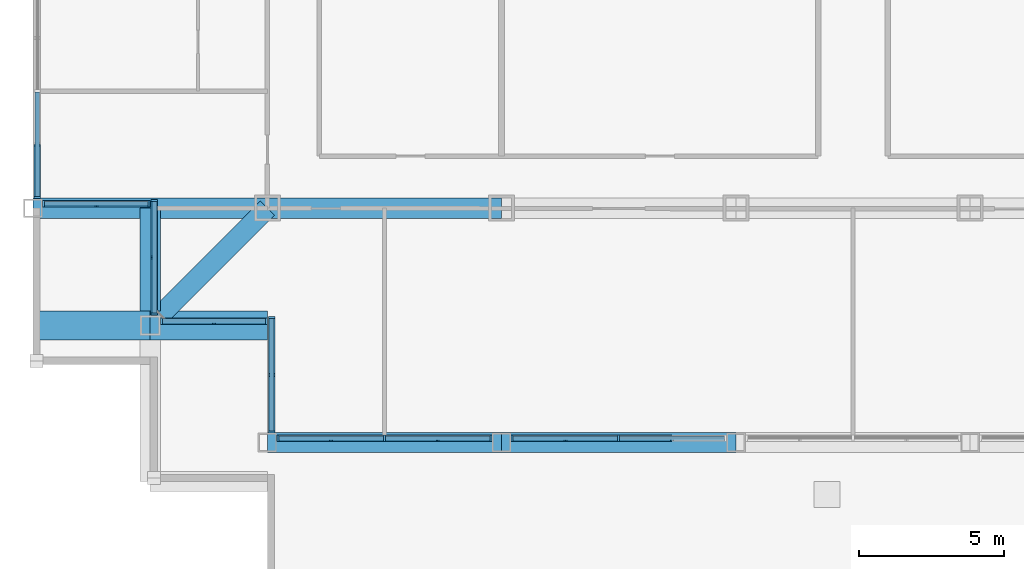
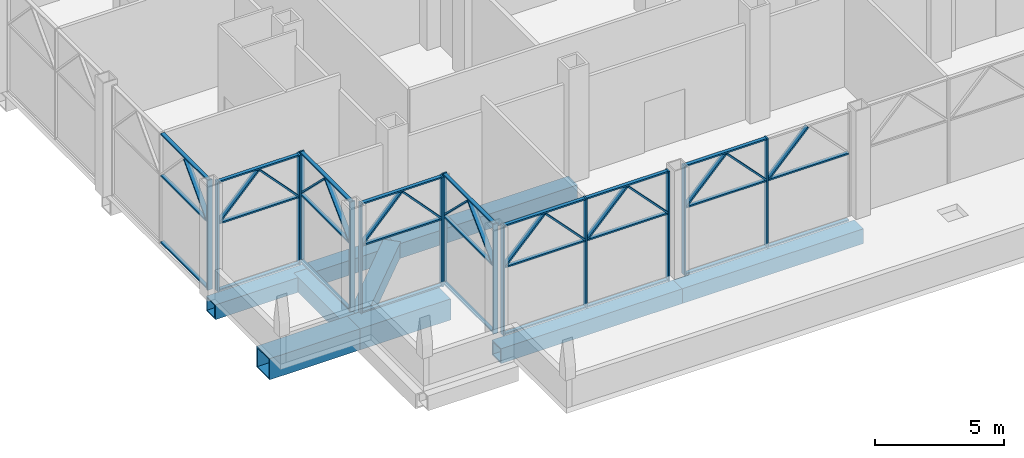
# One storey, part 2 of 26: 56 members, 8 beams, 7 elements without a shape of their own.
"""IFC4 building model written with IfcOpenShell, lengths in metres."""

from ifc_helpers import new_model, si_unit, direction, frame, origin, origin_2d, place, context, subcontext, project, spatial, rectangle, hollow_rectangle, extrude, material, material_profile, profile_set, type_object, element, aggregate, save


model = new_model("IFC4")

# Units and contexts
model_context = context("Model", 3, precision=1e-05, world=origin(), true_north=direction((0.0, 1.0)))
body_context = subcontext(model_context, "Body", "Model", "MODEL_VIEW")
ifc_project = project(units=[si_unit("LENGTHUNIT", "METRE"), si_unit("AREAUNIT", "SQUARE_METRE"), si_unit("VOLUMEUNIT", "CUBIC_METRE"), si_unit("PLANEANGLEUNIT", "RADIAN"), si_unit("MASSUNIT", "GRAM", prefix="KILO")], contexts=[model_context])

# Site, building, storey
site_placement = place(None, origin())
site = spatial("IfcSite", under=ifc_project, at=site_placement, CompositionType="ELEMENT")
building_placement = place(site_placement, origin())
building = spatial("IfcBuilding", under=site, at=building_placement, Name="Kopane Lantern Tower", CompositionType="ELEMENT")
storey_placement = place(building_placement, frame((0.0, 0.0, 98.0)))
storey = spatial("IfcBuildingStorey", under=building, at=storey_placement, Name="L24", CompositionType="ELEMENT", Elevation=98.0)

# Beams
ifc_material_1 = material(Name="Steel S355JR", Category="steel")
ifc_material_profile_1 = material_profile(ifc_material_1, hollow_rectangle(XDim=0.699951171875, YDim=0.699951171875, WallThickness=0.06005859375, at=origin_2d()), Name="BOX 700x700x60")
ifc_profile_set_1 = profile_set([ifc_material_profile_1], Name="Steel S355JR")
beam_type_1 = type_object("IfcBeamType", Name="CORNER TIE BEAM BOX 700x700x60", PredefinedType="BEAM", material=ifc_profile_set_1)
beam_1_placement = place(storey_placement, frame((4.403564453125, 9.8037109375, -0.60009765625), z_axis=(0.707130132301, 0.707083429301, 0.0), x_axis=(-0.707083429301, 0.707130132301, 0.0)))
element("IfcBeam", 1, at=beam_1_placement, inside=storey, type_object=beam_type_1, Name="Corner Tie Beam L24", PredefinedType="BEAM", context=body_context, shape_type="SweptSolid", body=[
    extrude(hollow_rectangle(XDim=0.699951171875, YDim=0.699951171875, WallThickness=0.06005859375, at=origin_2d()), origin(), (0.0, 0.0, 1.0), 5.2275390625),
])
ifc_material_2 = material(Name="Steel S355JR", Category="steel")
ifc_material_profile_2 = material_profile(ifc_material_2, hollow_rectangle(XDim=0.699951171875, YDim=0.699951171875, WallThickness=0.06005859375, at=origin_2d()), Name="BOX 700x700x60")
ifc_profile_set_2 = profile_set([ifc_material_profile_2], Name="Steel S355JR")
beam_type_2 = type_object("IfcBeamType", Name="EDGE BEAM BOX 700x700x60", PredefinedType="BEAM", material=ifc_profile_set_2)
beam_2_placement = place(storey_placement, frame((4.050048828125, 9.949951171875, -0.60009765625), z_axis=(0.0, 1.0, 0.0), x_axis=(-1.0, 0.0, 0.0)))
element("IfcBeam", 2, at=beam_2_placement, inside=storey, type_object=beam_type_2, Name="Edge Beam L24", PredefinedType="BEAM", context=body_context, shape_type="SweptSolid", body=[
    extrude(hollow_rectangle(XDim=0.699951171875, YDim=0.699951171875, WallThickness=0.06005859375, at=origin_2d()), origin(), (0.0, 0.0, 1.0), 3.550048828125),
])
ifc_material_3 = material(Name="Steel S355JR", Category="steel")
ifc_material_profile_3 = material_profile(ifc_material_3, hollow_rectangle(XDim=0.699951171875, YDim=0.699951171875, WallThickness=0.06005859375, at=origin_2d()), Name="BOX 700x700x60")
ifc_profile_set_3 = profile_set([ifc_material_profile_3], Name="Steel S355JR")
beam_type_3 = type_object("IfcBeamType", Name="GIRDER BOX 700x700x60", PredefinedType="BEAM", material=ifc_profile_set_3)
beam_3_placement = place(storey_placement, frame((0.0, 13.5, -0.60009765625), z_axis=(1.0, 0.0, 0.0), x_axis=(0.0, 1.0, 0.0)))
element("IfcBeam", 3, at=beam_3_placement, inside=storey, type_object=beam_type_3, Name="Girder L24", PredefinedType="BEAM", context=body_context, shape_type="SweptSolid", body=[
    extrude(hollow_rectangle(XDim=0.699951171875, YDim=0.699951171875, WallThickness=0.06005859375, at=origin_2d()), origin(), (0.0, 0.0, 1.0), 8.10009765625),
])
for number, where, z_axis, x_axis, name in (
    (4, (8.10009765625, 5.39990234375, -0.60009765625), (1.0, 0.0, 0.0), (0.0, 1.0, 0.0), "Girder L24"),
    (5, (8.10009765625, 13.5, -0.60009765625), (1.0, 0.0, 0.0), (0.0, 1.0, 0.0), "Girder L24"),
):
    element("IfcBeam", number, at=place(storey_placement, frame(where, z_axis=z_axis, x_axis=x_axis)), inside=storey, type_object=beam_type_3, Name=name, PredefinedType="BEAM", context=body_context, shape_type="SweptSolid", body=[
        extrude(hollow_rectangle(XDim=0.699951171875, YDim=0.699951171875, WallThickness=0.06005859375, at=origin_2d()), origin(), (0.0, 0.0, 1.0), 8.099853515625),
    ])
beam_4_placement = place(storey_placement, frame((16.199951171875, 5.39990234375, -0.60009765625), z_axis=(1.0, 0.0, 0.0), x_axis=(0.0, 1.0, 0.0)))
element("IfcBeam", 6, at=beam_4_placement, inside=storey, type_object=beam_type_3, Name="Girder L24", PredefinedType="BEAM", context=body_context, shape_type="SweptSolid", body=[
    extrude(hollow_rectangle(XDim=0.699951171875, YDim=0.699951171875, WallThickness=0.06005859375, at=origin_2d()), origin(), (0.0, 0.0, 1.0), 8.10009765625),
])

# Curtain wall, members
ifc_material_4 = material(Name="Aluminium and clear glass", Category="aluminium")
curtain_wall_type = type_object("IfcCurtainWallType", Name="CURTAIN WALL CW3 SKY LOBBY", PredefinedType="USERDEFINED", material=ifc_material_4)
curtain_wall_1_placement = place(storey_placement, origin())
curtain_wall_1 = element("IfcCurtainWall", 7, at=curtain_wall_1_placement, inside=storey, type_object=curtain_wall_type, Name="Curtain wall CW3 S L24", ObjectType="CURTAIN WALL", PredefinedType="USERDEFINED")
ifc_material_5 = material(Name="Aluminium", Category="aluminium")
ifc_material_profile_4 = material_profile(ifc_material_5, rectangle(XDim=0.070068359375, YDim=0.22509765625, at=origin_2d()), Name="AL 70x225")
ifc_profile_set_4 = profile_set([ifc_material_profile_4], Name="Aluminium")
member_type_1 = type_object("IfcMemberType", Name="MULLION CW3-M 70x225", PredefinedType="MULLION", material=ifc_profile_set_4)
member_1_placement = place(storey_placement, frame((8.465087890625, 5.550048828125, 0.0), z_axis=(0.0, 0.0, 1.0), x_axis=(1.0, 0.0, 0.0)))
member_1 = element("IfcMember", 8, at=member_1_placement, type_object=member_type_1, Name="CW3 mullion 1", PredefinedType="MULLION", context=body_context, shape_type="SweptSolid", body=[
    extrude(rectangle(XDim=0.070068359375, YDim=0.22509765625, at=origin_2d()), origin(), (0.0, 0.0, 1.0), 5.18994140625),
])
member_2_placement = place(storey_placement, frame((12.14990234375, 5.550048828125, 0.0), z_axis=(0.0, 0.0, 1.0), x_axis=(1.0, 0.0, 0.0)))
member_2 = element("IfcMember", 9, at=member_2_placement, type_object=member_type_1, Name="CW3 mullion 2", PredefinedType="MULLION", context=body_context, shape_type="SweptSolid", body=[
    extrude(rectangle(XDim=0.070068359375, YDim=0.22509765625, at=origin_2d()), origin(), (0.0, 0.0, 1.0), 5.18994140625),
])
member_3_placement = place(storey_placement, frame((15.8349609375, 5.550048828125, 0.0), z_axis=(0.0, 0.0, 1.0), x_axis=(1.0, 0.0, 0.0)))
member_3 = element("IfcMember", 10, at=member_3_placement, type_object=member_type_1, Name="CW3 mullion 3", PredefinedType="MULLION", context=body_context, shape_type="SweptSolid", body=[
    extrude(rectangle(XDim=0.070068359375, YDim=0.22509765625, at=origin_2d()), origin(), (0.0, 0.0, 1.0), 5.18994140625),
])
member_4_placement = place(storey_placement, frame((8.525390625, 5.550048828125, 3.2490234375), z_axis=(0.689164705863, 0.0, 0.724604725483), x_axis=(-0.724604725483, 0.0, 0.689164705863)))
member_4 = element("IfcMember", 11, at=member_4_placement, type_object=member_type_1, Name="CW3 lancet mullion 1L", PredefinedType="MULLION", context=body_context, shape_type="SweptSolid", body=[
    extrude(rectangle(XDim=0.070068359375, YDim=0.22509765625, at=origin_2d()), origin(), (0.0, 0.0, 1.0), 2.548828125),
])
member_5_placement = place(storey_placement, frame((12.089599609375, 5.550048828125, 3.2490234375), z_axis=(-0.689164705863, 0.0, 0.724604725483), x_axis=(0.724604725483, 0.0, 0.689164705863)))
member_5 = element("IfcMember", 12, at=member_5_placement, type_object=member_type_1, Name="CW3 lancet mullion 1R", PredefinedType="MULLION", context=body_context, shape_type="SweptSolid", body=[
    extrude(rectangle(XDim=0.070068359375, YDim=0.22509765625, at=origin_2d()), origin(), (0.0, 0.0, 1.0), 2.548828125),
])
member_6_placement = place(storey_placement, frame((12.21044921875, 5.550048828125, 3.2490234375), z_axis=(0.689164705863, 0.0, 0.724604725483), x_axis=(-0.724604725483, 0.0, 0.689164705863)))
member_6 = element("IfcMember", 13, at=member_6_placement, type_object=member_type_1, Name="CW3 lancet mullion 2L", PredefinedType="MULLION", context=body_context, shape_type="SweptSolid", body=[
    extrude(rectangle(XDim=0.070068359375, YDim=0.22509765625, at=origin_2d()), origin(), (0.0, 0.0, 1.0), 2.548828125),
])
member_7_placement = place(storey_placement, frame((15.774658203125, 5.550048828125, 3.2490234375), z_axis=(-0.689214992379, 0.0, 0.724556895129), x_axis=(0.724556895129, 0.0, 0.689214992379)))
member_7 = element("IfcMember", 14, at=member_7_placement, type_object=member_type_1, Name="CW3 lancet mullion 2R", PredefinedType="MULLION", context=body_context, shape_type="SweptSolid", body=[
    extrude(rectangle(XDim=0.070068359375, YDim=0.22509765625, at=origin_2d()), origin(), (0.0, 0.0, 1.0), 2.549072265625),
])

curtain_wall_2_placement = place(storey_placement, origin())
curtain_wall_2 = element("IfcCurtainWall", 15, at=curtain_wall_2_placement, inside=storey, type_object=curtain_wall_type, Name="Curtain wall CW3 S L24", ObjectType="CURTAIN WALL", PredefinedType="USERDEFINED")
member_8_placement = place(storey_placement, frame((16.56494140625, 5.550048828125, 0.0), z_axis=(0.0, 0.0, 1.0), x_axis=(1.0, 0.0, 0.0)))
member_8 = element("IfcMember", 16, at=member_8_placement, type_object=member_type_1, Name="CW3 mullion 1", PredefinedType="MULLION", context=body_context, shape_type="SweptSolid", body=[
    extrude(rectangle(XDim=0.070068359375, YDim=0.22509765625, at=origin_2d()), origin(), (0.0, 0.0, 1.0), 5.18994140625),
])
member_9_placement = place(storey_placement, frame((20.25, 5.550048828125, 0.0), z_axis=(0.0, 0.0, 1.0), x_axis=(1.0, 0.0, 0.0)))
member_9 = element("IfcMember", 17, at=member_9_placement, type_object=member_type_1, Name="CW3 mullion 2", PredefinedType="MULLION", context=body_context, shape_type="SweptSolid", body=[
    extrude(rectangle(XDim=0.070068359375, YDim=0.22509765625, at=origin_2d()), origin(), (0.0, 0.0, 1.0), 5.18994140625),
])
member_10_placement = place(storey_placement, frame((16.62548828125, 5.550048828125, 3.2490234375), z_axis=(0.689164705863, 0.0, 0.724604725483), x_axis=(-0.724604725483, 0.0, 0.689164705863)))
member_10 = element("IfcMember", 18, at=member_10_placement, type_object=member_type_1, Name="CW3 lancet mullion 1L", PredefinedType="MULLION", context=body_context, shape_type="SweptSolid", body=[
    extrude(rectangle(XDim=0.070068359375, YDim=0.22509765625, at=origin_2d()), origin(), (0.0, 0.0, 1.0), 2.548828125),
])
member_11_placement = place(storey_placement, frame((20.189697265625, 5.550048828125, 3.2490234375), z_axis=(-0.689214992379, 0.0, 0.724556895129), x_axis=(0.724556895129, 0.0, 0.689214992379)))
member_11 = element("IfcMember", 19, at=member_11_placement, type_object=member_type_1, Name="CW3 lancet mullion 1R", PredefinedType="MULLION", context=body_context, shape_type="SweptSolid", body=[
    extrude(rectangle(XDim=0.070068359375, YDim=0.22509765625, at=origin_2d()), origin(), (0.0, 0.0, 1.0), 2.549072265625),
])
member_12_placement = place(storey_placement, frame((20.310302734375, 5.550048828125, 3.2490234375), z_axis=(0.689214992379, 0.0, 0.724556895129), x_axis=(-0.724556895129, 0.0, 0.689214992379)))
member_12 = element("IfcMember", 20, at=member_12_placement, type_object=member_type_1, Name="CW3 lancet mullion 2L", PredefinedType="MULLION", context=body_context, shape_type="SweptSolid", body=[
    extrude(rectangle(XDim=0.070068359375, YDim=0.22509765625, at=origin_2d()), origin(), (0.0, 0.0, 1.0), 2.549072265625),
])

curtain_wall_3_placement = place(storey_placement, origin())
curtain_wall_3 = element("IfcCurtainWall", 21, at=curtain_wall_3_placement, inside=storey, type_object=curtain_wall_type, Name="Curtain wall CW3 W L24", ObjectType="CURTAIN WALL", PredefinedType="USERDEFINED")
member_13_placement = place(storey_placement, frame((0.14990234375, 13.864990234375, 0.0), z_axis=(0.0, 0.0, 1.0), x_axis=(0.0, -1.0, 0.0)))
member_13 = element("IfcMember", 22, at=member_13_placement, type_object=member_type_1, Name="CW3 mullion 3", PredefinedType="MULLION", context=body_context, shape_type="SweptSolid", body=[
    extrude(rectangle(XDim=0.070068359375, YDim=0.22509765625, at=origin_2d()), origin(), (0.0, 0.0, 1.0), 5.18994140625),
])
member_14_placement = place(storey_placement, frame((0.14990234375, 13.92529296875, 3.2490234375), z_axis=(0.0, 0.689214992379, 0.724556895129), x_axis=(0.0, -0.724556895129, 0.689214992379)))
member_14 = element("IfcMember", 23, at=member_14_placement, type_object=member_type_1, Name="CW3 lancet mullion 2R", PredefinedType="MULLION", context=body_context, shape_type="SweptSolid", body=[
    extrude(rectangle(XDim=0.070068359375, YDim=0.22509765625, at=origin_2d()), origin(), (0.0, 0.0, 1.0), 2.549072265625),
])

curtain_wall_4_placement = place(storey_placement, origin())
curtain_wall_4 = element("IfcCurtainWall", 24, at=curtain_wall_4_placement, inside=storey, type_object=curtain_wall_type, Name="Curtain wall CW3 S L24", ObjectType="CURTAIN WALL", PredefinedType="USERDEFINED")
member_15_placement = place(storey_placement, frame((0.364990234375, 13.64990234375, 0.0), z_axis=(0.0, 0.0, 1.0), x_axis=(1.0, 0.0, 0.0)))
member_15 = element("IfcMember", 25, at=member_15_placement, type_object=member_type_1, Name="CW3 mullion 1", PredefinedType="MULLION", context=body_context, shape_type="SweptSolid", body=[
    extrude(rectangle(XDim=0.070068359375, YDim=0.22509765625, at=origin_2d()), origin(), (0.0, 0.0, 1.0), 5.18994140625),
])
member_16_placement = place(storey_placement, frame((4.014892578125, 13.64990234375, 0.0), z_axis=(0.0, 0.0, 1.0), x_axis=(1.0, 0.0, 0.0)))
member_16 = element("IfcMember", 26, at=member_16_placement, type_object=member_type_1, Name="CW3 mullion 2", PredefinedType="MULLION", context=body_context, shape_type="SweptSolid", body=[
    extrude(rectangle(XDim=0.070068359375, YDim=0.22509765625, at=origin_2d()), origin(), (0.0, 0.0, 1.0), 5.18994140625),
])
member_17_placement = place(storey_placement, frame((0.425537109375, 13.64990234375, 3.2490234375), z_axis=(0.685517784981, 0.0, 0.728055881423), x_axis=(-0.728055881423, 0.0, 0.685517784981)))
member_17 = element("IfcMember", 27, at=member_17_placement, type_object=member_type_1, Name="CW3 lancet mullion 1L", PredefinedType="MULLION", context=body_context, shape_type="SweptSolid", body=[
    extrude(rectangle(XDim=0.070068359375, YDim=0.22509765625, at=origin_2d()), origin(), (0.0, 0.0, 1.0), 2.536865234375),
])
member_18_placement = place(storey_placement, frame((3.95458984375, 13.64990234375, 3.2490234375), z_axis=(-0.685517784981, 0.0, 0.728055881423), x_axis=(0.728055881423, 0.0, 0.685517784981)))
member_18 = element("IfcMember", 28, at=member_18_placement, type_object=member_type_1, Name="CW3 lancet mullion 1R", PredefinedType="MULLION", context=body_context, shape_type="SweptSolid", body=[
    extrude(rectangle(XDim=0.070068359375, YDim=0.22509765625, at=origin_2d()), origin(), (0.0, 0.0, 1.0), 2.536865234375),
])

curtain_wall_5_placement = place(storey_placement, origin())
curtain_wall_5 = element("IfcCurtainWall", 29, at=curtain_wall_5_placement, inside=storey, type_object=curtain_wall_type, Name="Curtain wall CW3 W L24", ObjectType="CURTAIN WALL", PredefinedType="USERDEFINED")
member_19_placement = place(storey_placement, frame((4.199951171875, 13.764892578125, 0.0), z_axis=(0.0, 0.0, 1.0), x_axis=(0.0, -1.0, 0.0)))
member_19 = element("IfcMember", 30, at=member_19_placement, type_object=member_type_1, Name="CW3 mullion 1", PredefinedType="MULLION", context=body_context, shape_type="SweptSolid", body=[
    extrude(rectangle(XDim=0.070068359375, YDim=0.22509765625, at=origin_2d()), origin(), (0.0, 0.0, 1.0), 5.18994140625),
])
member_20_placement = place(storey_placement, frame((4.199951171875, 9.840087890625, 0.0), z_axis=(0.0, 0.0, 1.0), x_axis=(0.0, -1.0, 0.0)))
member_20 = element("IfcMember", 31, at=member_20_placement, type_object=member_type_1, Name="CW3 mullion 2", PredefinedType="MULLION", context=body_context, shape_type="SweptSolid", body=[
    extrude(rectangle(XDim=0.070068359375, YDim=0.22509765625, at=origin_2d()), origin(), (0.0, 0.0, 1.0), 5.18994140625),
])
member_21_placement = place(storey_placement, frame((4.199951171875, 13.70556640625, 3.25), z_axis=(0.0, -0.71347547473, 0.700680203059), x_axis=(0.0, 0.700680203059, 0.71347547473)))
member_21 = element("IfcMember", 32, at=member_21_placement, type_object=member_type_1, Name="CW3 lancet mullion 1L", PredefinedType="MULLION", context=body_context, shape_type="SweptSolid", body=[
    extrude(rectangle(XDim=0.070068359375, YDim=0.22509765625, at=origin_2d()), origin(), (0.0, 0.0, 1.0), 2.633056640625),
])
member_22_placement = place(storey_placement, frame((4.199951171875, 9.8994140625, 3.25), z_axis=(0.0, 0.71347547473, 0.700680203059), x_axis=(0.0, -0.700680203059, 0.71347547473)))
member_22 = element("IfcMember", 33, at=member_22_placement, type_object=member_type_1, Name="CW3 lancet mullion 1R", PredefinedType="MULLION", context=body_context, shape_type="SweptSolid", body=[
    extrude(rectangle(XDim=0.070068359375, YDim=0.22509765625, at=origin_2d()), origin(), (0.0, 0.0, 1.0), 2.633056640625),
])

curtain_wall_6_placement = place(storey_placement, origin())
curtain_wall_6 = element("IfcCurtainWall", 34, at=curtain_wall_6_placement, inside=storey, type_object=curtain_wall_type, Name="Curtain wall CW3 S L24", ObjectType="CURTAIN WALL", PredefinedType="USERDEFINED")
member_23_placement = place(storey_placement, frame((4.43994140625, 9.60009765625, 0.0), z_axis=(0.0, 0.0, 1.0), x_axis=(1.0, 0.0, 0.0)))
member_23 = element("IfcMember", 35, at=member_23_placement, type_object=member_type_1, Name="CW3 mullion 1", PredefinedType="MULLION", context=body_context, shape_type="SweptSolid", body=[
    extrude(rectangle(XDim=0.070068359375, YDim=0.22509765625, at=origin_2d()), origin(), (0.0, 0.0, 1.0), 5.18994140625),
])
member_24_placement = place(storey_placement, frame((8.06494140625, 9.60009765625, 0.0), z_axis=(0.0, 0.0, 1.0), x_axis=(1.0, 0.0, 0.0)))
member_24 = element("IfcMember", 36, at=member_24_placement, type_object=member_type_1, Name="CW3 mullion 2", PredefinedType="MULLION", context=body_context, shape_type="SweptSolid", body=[
    extrude(rectangle(XDim=0.070068359375, YDim=0.22509765625, at=origin_2d()), origin(), (0.0, 0.0, 1.0), 5.18994140625),
])
member_25_placement = place(storey_placement, frame((4.50048828125, 9.60009765625, 3.248779296875), z_axis=(0.682755043512, 0.0, 0.73064735034), x_axis=(-0.73064735034, 0.0, 0.682755043512)))
member_25 = element("IfcMember", 37, at=member_25_placement, type_object=member_type_1, Name="CW3 lancet mullion 1L", PredefinedType="MULLION", context=body_context, shape_type="SweptSolid", body=[
    extrude(rectangle(XDim=0.070068359375, YDim=0.22509765625, at=origin_2d()), origin(), (0.0, 0.0, 1.0), 2.528564453125),
])
member_26_placement = place(storey_placement, frame((8.00439453125, 9.60009765625, 3.248779296875), z_axis=(-0.682755043512, 0.0, 0.73064735034), x_axis=(0.73064735034, 0.0, 0.682755043512)))
member_26 = element("IfcMember", 38, at=member_26_placement, type_object=member_type_1, Name="CW3 lancet mullion 1R", PredefinedType="MULLION", context=body_context, shape_type="SweptSolid", body=[
    extrude(rectangle(XDim=0.070068359375, YDim=0.22509765625, at=origin_2d()), origin(), (0.0, 0.0, 1.0), 2.528564453125),
])

curtain_wall_7_placement = place(storey_placement, origin())
curtain_wall_7 = element("IfcCurtainWall", 39, at=curtain_wall_7_placement, inside=storey, type_object=curtain_wall_type, Name="Curtain wall CW3 W L24", ObjectType="CURTAIN WALL", PredefinedType="USERDEFINED")
member_27_placement = place(storey_placement, frame((8.25, 9.715087890625, 0.0), z_axis=(0.0, 0.0, 1.0), x_axis=(0.0, -1.0, 0.0)))
member_27 = element("IfcMember", 40, at=member_27_placement, type_object=member_type_1, Name="CW3 mullion 1", PredefinedType="MULLION", context=body_context, shape_type="SweptSolid", body=[
    extrude(rectangle(XDim=0.070068359375, YDim=0.22509765625, at=origin_2d()), origin(), (0.0, 0.0, 1.0), 5.18994140625),
])
member_28_placement = place(storey_placement, frame((8.25, 5.764892578125, 0.0), z_axis=(0.0, 0.0, 1.0), x_axis=(0.0, -1.0, 0.0)))
member_28 = element("IfcMember", 41, at=member_28_placement, type_object=member_type_1, Name="CW3 mullion 2", PredefinedType="MULLION", context=body_context, shape_type="SweptSolid", body=[
    extrude(rectangle(XDim=0.070068359375, YDim=0.22509765625, at=origin_2d()), origin(), (0.0, 0.0, 1.0), 5.18994140625),
])
member_29_placement = place(storey_placement, frame((8.25, 9.655517578125, 3.25), z_axis=(0.0, -0.715785328086, 0.698320387857), x_axis=(0.0, 0.698320387857, 0.715785328086)))
member_29 = element("IfcMember", 42, at=member_29_placement, type_object=member_type_1, Name="CW3 lancet mullion 1L", PredefinedType="MULLION", context=body_context, shape_type="SweptSolid", body=[
    extrude(rectangle(XDim=0.070068359375, YDim=0.22509765625, at=origin_2d()), origin(), (0.0, 0.0, 1.0), 2.64208984375),
])
member_30_placement = place(storey_placement, frame((8.25, 5.824462890625, 3.25), z_axis=(0.0, 0.715785328086, 0.698320387857), x_axis=(0.0, -0.698320387857, 0.715785328086)))
member_30 = element("IfcMember", 43, at=member_30_placement, type_object=member_type_1, Name="CW3 lancet mullion 1R", PredefinedType="MULLION", context=body_context, shape_type="SweptSolid", body=[
    extrude(rectangle(XDim=0.070068359375, YDim=0.22509765625, at=origin_2d()), origin(), (0.0, 0.0, 1.0), 2.64208984375),
])

# Beams
ifc_material_6 = material(Name="Steel S355JR", Category="steel")
ifc_material_profile_5 = material_profile(ifc_material_6, hollow_rectangle(XDim=1.0, YDim=1.0, WallThickness=0.06005859375, at=origin_2d()), Name="BOX 1000x1000x60")
ifc_profile_set_5 = profile_set([ifc_material_profile_5], Name="Steel S355JR")
beam_type_4 = type_object("IfcBeamType", Name="TRANSFER BEAM BOX 1000x1000x60", PredefinedType="BEAM", material=ifc_profile_set_5)
for number, where, z_axis, x_axis, name in (
    (44, (0.0, 9.449951171875, -0.75), (1.0, 0.0, 0.0), (0.0, 1.0, 0.0), "Transfer Beam L24"),
    (45, (4.050048828125, 9.449951171875, -0.75), (1.0, 0.0, 0.0), (0.0, 1.0, 0.0), "Transfer Beam L24"),
):
    element("IfcBeam", number, at=place(storey_placement, frame(where, z_axis=z_axis, x_axis=x_axis)), inside=storey, type_object=beam_type_4, Name=name, PredefinedType="BEAM", context=body_context, shape_type="SweptSolid", body=[
        extrude(hollow_rectangle(XDim=1.0, YDim=1.0, WallThickness=0.06005859375, at=origin_2d()), origin(), (0.0, 0.0, 1.0), 4.050048828125),
    ])

# Member
ifc_material_7 = material(Name="Aluminium", Category="aluminium")
ifc_material_profile_6 = material_profile(ifc_material_7, rectangle(XDim=0.159912109375, YDim=0.070068359375, at=origin_2d()), Name="AL 160x70")
ifc_profile_set_6 = profile_set([ifc_material_profile_6], Name="Aluminium")
member_type_2 = type_object("IfcMemberType", Name="TRANSOM CW3-T 70x160", PredefinedType="USERDEFINED", material=ifc_profile_set_6)
member_31_placement = place(storey_placement, frame((8.5, 5.550048828125, 0.034912109375), z_axis=(1.0, 0.0, 0.0), x_axis=(0.0, 1.0, 0.0)))
member_31 = element("IfcMember", 46, at=member_31_placement, type_object=member_type_2, Name="CW3 transom 1.1", ObjectType="TRANSOM", PredefinedType="USERDEFINED", context=body_context, shape_type="SweptSolid", body=[
    extrude(rectangle(XDim=0.159912109375, YDim=0.070068359375, at=origin_2d()), origin(), (0.0, 0.0, 1.0), 3.614990234375),
])

member_32_placement = place(storey_placement, frame((8.5, 5.550048828125, 3.18994140625), z_axis=(1.0, 0.0, 0.0), x_axis=(0.0, 1.0, 0.0)))
member_32 = element("IfcMember", 47, at=member_32_placement, type_object=member_type_2, Name="CW3 transom 1.2", ObjectType="TRANSOM", PredefinedType="USERDEFINED", context=body_context, shape_type="SweptSolid", body=[
    extrude(rectangle(XDim=0.159912109375, YDim=0.070068359375, at=origin_2d()), origin(), (0.0, 0.0, 1.0), 3.614990234375),
])

member_33_placement = place(storey_placement, frame((8.5, 5.550048828125, 5.155029296875), z_axis=(1.0, 0.0, 0.0), x_axis=(0.0, 1.0, 0.0)))
member_33 = element("IfcMember", 48, at=member_33_placement, type_object=member_type_2, Name="CW3 transom 1.3", ObjectType="TRANSOM", PredefinedType="USERDEFINED", context=body_context, shape_type="SweptSolid", body=[
    extrude(rectangle(XDim=0.159912109375, YDim=0.070068359375, at=origin_2d()), origin(), (0.0, 0.0, 1.0), 3.614990234375),
])

member_34_placement = place(storey_placement, frame((12.18505859375, 5.550048828125, 0.034912109375), z_axis=(1.0, 0.0, 0.0), x_axis=(0.0, 1.0, 0.0)))
member_34 = element("IfcMember", 49, at=member_34_placement, type_object=member_type_2, Name="CW3 transom 2.1", ObjectType="TRANSOM", PredefinedType="USERDEFINED", context=body_context, shape_type="SweptSolid", body=[
    extrude(rectangle(XDim=0.159912109375, YDim=0.070068359375, at=origin_2d()), origin(), (0.0, 0.0, 1.0), 3.614990234375),
])

member_35_placement = place(storey_placement, frame((12.18505859375, 5.550048828125, 3.18994140625), z_axis=(1.0, 0.0, 0.0), x_axis=(0.0, 1.0, 0.0)))
member_35 = element("IfcMember", 50, at=member_35_placement, type_object=member_type_2, Name="CW3 transom 2.2", ObjectType="TRANSOM", PredefinedType="USERDEFINED", context=body_context, shape_type="SweptSolid", body=[
    extrude(rectangle(XDim=0.159912109375, YDim=0.070068359375, at=origin_2d()), origin(), (0.0, 0.0, 1.0), 3.614990234375),
])

member_36_placement = place(storey_placement, frame((12.18505859375, 5.550048828125, 5.155029296875), z_axis=(1.0, 0.0, 0.0), x_axis=(0.0, 1.0, 0.0)))
member_36 = element("IfcMember", 51, at=member_36_placement, type_object=member_type_2, Name="CW3 transom 2.3", ObjectType="TRANSOM", PredefinedType="USERDEFINED", context=body_context, shape_type="SweptSolid", body=[
    extrude(rectangle(XDim=0.159912109375, YDim=0.070068359375, at=origin_2d()), origin(), (0.0, 0.0, 1.0), 3.614990234375),
])

aggregate(curtain_wall_1, [member_1, member_2, member_3, member_31, member_32, member_33, member_34, member_35, member_36, member_4, member_5, member_6, member_7])

member_37_placement = place(storey_placement, frame((16.60009765625, 5.550048828125, 0.034912109375), z_axis=(1.0, 0.0, 0.0), x_axis=(0.0, 1.0, 0.0)))
member_37 = element("IfcMember", 52, at=member_37_placement, type_object=member_type_2, Name="CW3 transom 1.1", ObjectType="TRANSOM", PredefinedType="USERDEFINED", context=body_context, shape_type="SweptSolid", body=[
    extrude(rectangle(XDim=0.159912109375, YDim=0.070068359375, at=origin_2d()), origin(), (0.0, 0.0, 1.0), 3.614990234375),
])

member_38_placement = place(storey_placement, frame((16.60009765625, 5.550048828125, 3.18994140625), z_axis=(1.0, 0.0, 0.0), x_axis=(0.0, 1.0, 0.0)))
member_38 = element("IfcMember", 53, at=member_38_placement, type_object=member_type_2, Name="CW3 transom 1.2", ObjectType="TRANSOM", PredefinedType="USERDEFINED", context=body_context, shape_type="SweptSolid", body=[
    extrude(rectangle(XDim=0.159912109375, YDim=0.070068359375, at=origin_2d()), origin(), (0.0, 0.0, 1.0), 3.614990234375),
])

member_39_placement = place(storey_placement, frame((16.60009765625, 5.550048828125, 5.155029296875), z_axis=(1.0, 0.0, 0.0), x_axis=(0.0, 1.0, 0.0)))
member_39 = element("IfcMember", 54, at=member_39_placement, type_object=member_type_2, Name="CW3 transom 1.3", ObjectType="TRANSOM", PredefinedType="USERDEFINED", context=body_context, shape_type="SweptSolid", body=[
    extrude(rectangle(XDim=0.159912109375, YDim=0.070068359375, at=origin_2d()), origin(), (0.0, 0.0, 1.0), 3.614990234375),
])

member_40_placement = place(storey_placement, frame((20.284912109375, 5.550048828125, 0.034912109375), z_axis=(1.0, 0.0, 0.0), x_axis=(0.0, 1.0, 0.0)))
member_40 = element("IfcMember", 55, at=member_40_placement, type_object=member_type_2, Name="CW3 transom 2.1", ObjectType="TRANSOM", PredefinedType="USERDEFINED", context=body_context, shape_type="SweptSolid", body=[
    extrude(rectangle(XDim=0.159912109375, YDim=0.070068359375, at=origin_2d()), origin(), (0.0, 0.0, 1.0), 3.614990234375),
])

member_41_placement = place(storey_placement, frame((20.284912109375, 5.550048828125, 3.18994140625), z_axis=(1.0, 0.0, 0.0), x_axis=(0.0, 1.0, 0.0)))
member_41 = element("IfcMember", 56, at=member_41_placement, type_object=member_type_2, Name="CW3 transom 2.2", ObjectType="TRANSOM", PredefinedType="USERDEFINED", context=body_context, shape_type="SweptSolid", body=[
    extrude(rectangle(XDim=0.159912109375, YDim=0.070068359375, at=origin_2d()), origin(), (0.0, 0.0, 1.0), 3.614990234375),
])

aggregate(curtain_wall_2, [member_8, member_9, member_37, member_38, member_39, member_40, member_41, member_10, member_11, member_12])

member_42_placement = place(storey_placement, frame((0.14990234375, 17.514892578125, 0.034912109375), z_axis=(0.0, -1.0, 0.0), x_axis=(1.0, 0.0, 0.0)))
member_42 = element("IfcMember", 57, at=member_42_placement, type_object=member_type_2, Name="CW3 transom 2.1", ObjectType="TRANSOM", PredefinedType="USERDEFINED", context=body_context, shape_type="SweptSolid", body=[
    extrude(rectangle(XDim=0.159912109375, YDim=0.070068359375, at=origin_2d()), origin(), (0.0, 0.0, 1.0), 3.614990234375),
])

member_43_placement = place(storey_placement, frame((0.14990234375, 17.514892578125, 3.18994140625), z_axis=(0.0, -1.0, 0.0), x_axis=(1.0, 0.0, 0.0)))
member_43 = element("IfcMember", 58, at=member_43_placement, type_object=member_type_2, Name="CW3 transom 2.2", ObjectType="TRANSOM", PredefinedType="USERDEFINED", context=body_context, shape_type="SweptSolid", body=[
    extrude(rectangle(XDim=0.159912109375, YDim=0.070068359375, at=origin_2d()), origin(), (0.0, 0.0, 1.0), 3.614990234375),
])

member_44_placement = place(storey_placement, frame((0.14990234375, 17.514892578125, 5.155029296875), z_axis=(0.0, -1.0, 0.0), x_axis=(1.0, 0.0, 0.0)))
member_44 = element("IfcMember", 59, at=member_44_placement, type_object=member_type_2, Name="CW3 transom 2.3", ObjectType="TRANSOM", PredefinedType="USERDEFINED", context=body_context, shape_type="SweptSolid", body=[
    extrude(rectangle(XDim=0.159912109375, YDim=0.070068359375, at=origin_2d()), origin(), (0.0, 0.0, 1.0), 3.614990234375),
])

aggregate(curtain_wall_3, [member_13, member_42, member_43, member_44, member_14])

member_45_placement = place(storey_placement, frame((0.39990234375, 13.64990234375, 0.034912109375), z_axis=(1.0, 0.0, 0.0), x_axis=(0.0, 1.0, 0.0)))
member_45 = element("IfcMember", 60, at=member_45_placement, type_object=member_type_2, Name="CW3 transom 1.1", ObjectType="TRANSOM", PredefinedType="USERDEFINED", context=body_context, shape_type="SweptSolid", body=[
    extrude(rectangle(XDim=0.159912109375, YDim=0.070068359375, at=origin_2d()), origin(), (0.0, 0.0, 1.0), 3.580078125),
])

member_46_placement = place(storey_placement, frame((0.39990234375, 13.64990234375, 3.18994140625), z_axis=(1.0, 0.0, 0.0), x_axis=(0.0, 1.0, 0.0)))
member_46 = element("IfcMember", 61, at=member_46_placement, type_object=member_type_2, Name="CW3 transom 1.2", ObjectType="TRANSOM", PredefinedType="USERDEFINED", context=body_context, shape_type="SweptSolid", body=[
    extrude(rectangle(XDim=0.159912109375, YDim=0.070068359375, at=origin_2d()), origin(), (0.0, 0.0, 1.0), 3.580078125),
])

member_47_placement = place(storey_placement, frame((0.39990234375, 13.64990234375, 5.155029296875), z_axis=(1.0, 0.0, 0.0), x_axis=(0.0, 1.0, 0.0)))
member_47 = element("IfcMember", 62, at=member_47_placement, type_object=member_type_2, Name="CW3 transom 1.3", ObjectType="TRANSOM", PredefinedType="USERDEFINED", context=body_context, shape_type="SweptSolid", body=[
    extrude(rectangle(XDim=0.159912109375, YDim=0.070068359375, at=origin_2d()), origin(), (0.0, 0.0, 1.0), 3.580078125),
])

aggregate(curtain_wall_4, [member_15, member_16, member_45, member_46, member_47, member_17, member_18])

member_48_placement = place(storey_placement, frame((4.199951171875, 13.72998046875, 0.034912109375), z_axis=(0.0, -1.0, 0.0), x_axis=(1.0, 0.0, 0.0)))
member_48 = element("IfcMember", 63, at=member_48_placement, type_object=member_type_2, Name="CW3 transom 1.1", ObjectType="TRANSOM", PredefinedType="USERDEFINED", context=body_context, shape_type="SweptSolid", body=[
    extrude(rectangle(XDim=0.159912109375, YDim=0.070068359375, at=origin_2d()), origin(), (0.0, 0.0, 1.0), 3.85498046875),
])

member_49_placement = place(storey_placement, frame((4.199951171875, 13.72998046875, 3.18994140625), z_axis=(0.0, -1.0, 0.0), x_axis=(1.0, 0.0, 0.0)))
member_49 = element("IfcMember", 64, at=member_49_placement, type_object=member_type_2, Name="CW3 transom 1.2", ObjectType="TRANSOM", PredefinedType="USERDEFINED", context=body_context, shape_type="SweptSolid", body=[
    extrude(rectangle(XDim=0.159912109375, YDim=0.070068359375, at=origin_2d()), origin(), (0.0, 0.0, 1.0), 3.85498046875),
])

member_50_placement = place(storey_placement, frame((4.199951171875, 13.72998046875, 5.155029296875), z_axis=(0.0, -1.0, 0.0), x_axis=(1.0, 0.0, 0.0)))
member_50 = element("IfcMember", 65, at=member_50_placement, type_object=member_type_2, Name="CW3 transom 1.3", ObjectType="TRANSOM", PredefinedType="USERDEFINED", context=body_context, shape_type="SweptSolid", body=[
    extrude(rectangle(XDim=0.159912109375, YDim=0.070068359375, at=origin_2d()), origin(), (0.0, 0.0, 1.0), 3.85498046875),
])

aggregate(curtain_wall_5, [member_19, member_20, member_48, member_49, member_50, member_21, member_22])

member_51_placement = place(storey_placement, frame((4.47509765625, 9.60009765625, 0.034912109375), z_axis=(1.0, 0.0, 0.0), x_axis=(0.0, 1.0, 0.0)))
member_51 = element("IfcMember", 66, at=member_51_placement, type_object=member_type_2, Name="CW3 transom 1.1", ObjectType="TRANSOM", PredefinedType="USERDEFINED", context=body_context, shape_type="SweptSolid", body=[
    extrude(rectangle(XDim=0.159912109375, YDim=0.070068359375, at=origin_2d()), origin(), (0.0, 0.0, 1.0), 3.554931640625),
])

member_52_placement = place(storey_placement, frame((4.47509765625, 9.60009765625, 3.18994140625), z_axis=(1.0, 0.0, 0.0), x_axis=(0.0, 1.0, 0.0)))
member_52 = element("IfcMember", 67, at=member_52_placement, type_object=member_type_2, Name="CW3 transom 1.2", ObjectType="TRANSOM", PredefinedType="USERDEFINED", context=body_context, shape_type="SweptSolid", body=[
    extrude(rectangle(XDim=0.159912109375, YDim=0.070068359375, at=origin_2d()), origin(), (0.0, 0.0, 1.0), 3.554931640625),
])

member_53_placement = place(storey_placement, frame((4.47509765625, 9.60009765625, 5.155029296875), z_axis=(1.0, 0.0, 0.0), x_axis=(0.0, 1.0, 0.0)))
member_53 = element("IfcMember", 68, at=member_53_placement, type_object=member_type_2, Name="CW3 transom 1.3", ObjectType="TRANSOM", PredefinedType="USERDEFINED", context=body_context, shape_type="SweptSolid", body=[
    extrude(rectangle(XDim=0.159912109375, YDim=0.070068359375, at=origin_2d()), origin(), (0.0, 0.0, 1.0), 3.554931640625),
])

aggregate(curtain_wall_6, [member_23, member_24, member_51, member_52, member_53, member_25, member_26])

member_54_placement = place(storey_placement, frame((8.25, 9.679931640625, 0.034912109375), z_axis=(0.0, -1.0, 0.0), x_axis=(1.0, 0.0, 0.0)))
member_54 = element("IfcMember", 69, at=member_54_placement, type_object=member_type_2, Name="CW3 transom 1.1", ObjectType="TRANSOM", PredefinedType="USERDEFINED", context=body_context, shape_type="SweptSolid", body=[
    extrude(rectangle(XDim=0.159912109375, YDim=0.070068359375, at=origin_2d()), origin(), (0.0, 0.0, 1.0), 3.8798828125),
])

member_55_placement = place(storey_placement, frame((8.25, 9.679931640625, 3.18994140625), z_axis=(0.0, -1.0, 0.0), x_axis=(1.0, 0.0, 0.0)))
member_55 = element("IfcMember", 70, at=member_55_placement, type_object=member_type_2, Name="CW3 transom 1.2", ObjectType="TRANSOM", PredefinedType="USERDEFINED", context=body_context, shape_type="SweptSolid", body=[
    extrude(rectangle(XDim=0.159912109375, YDim=0.070068359375, at=origin_2d()), origin(), (0.0, 0.0, 1.0), 3.8798828125),
])

member_56_placement = place(storey_placement, frame((8.25, 9.679931640625, 5.155029296875), z_axis=(0.0, -1.0, 0.0), x_axis=(1.0, 0.0, 0.0)))
member_56 = element("IfcMember", 71, at=member_56_placement, type_object=member_type_2, Name="CW3 transom 1.3", ObjectType="TRANSOM", PredefinedType="USERDEFINED", context=body_context, shape_type="SweptSolid", body=[
    extrude(rectangle(XDim=0.159912109375, YDim=0.070068359375, at=origin_2d()), origin(), (0.0, 0.0, 1.0), 3.8798828125),
])

aggregate(curtain_wall_7, [member_27, member_28, member_54, member_55, member_56, member_29, member_30])

save(model, "model.ifc")
